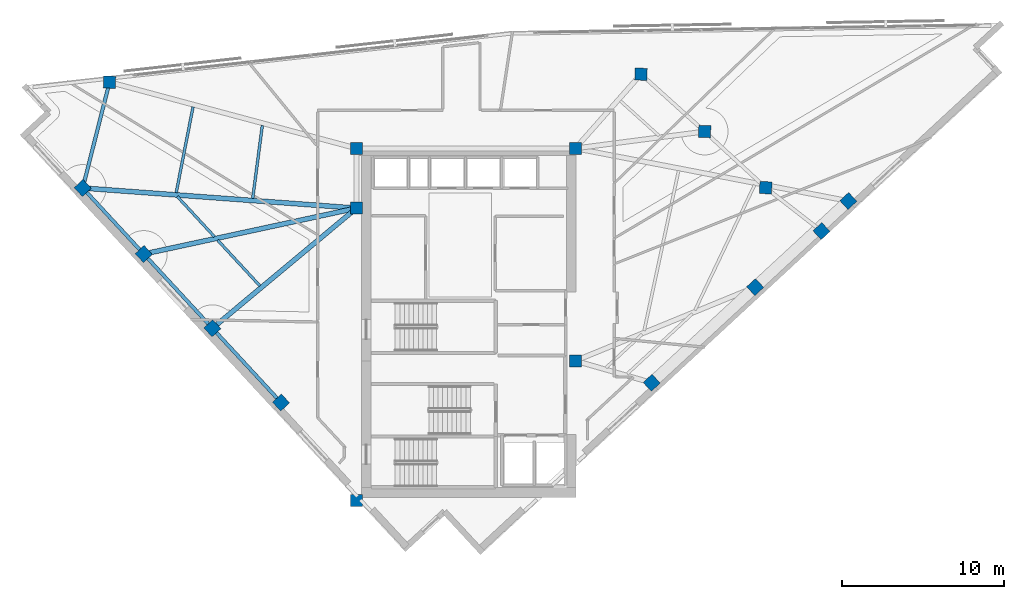
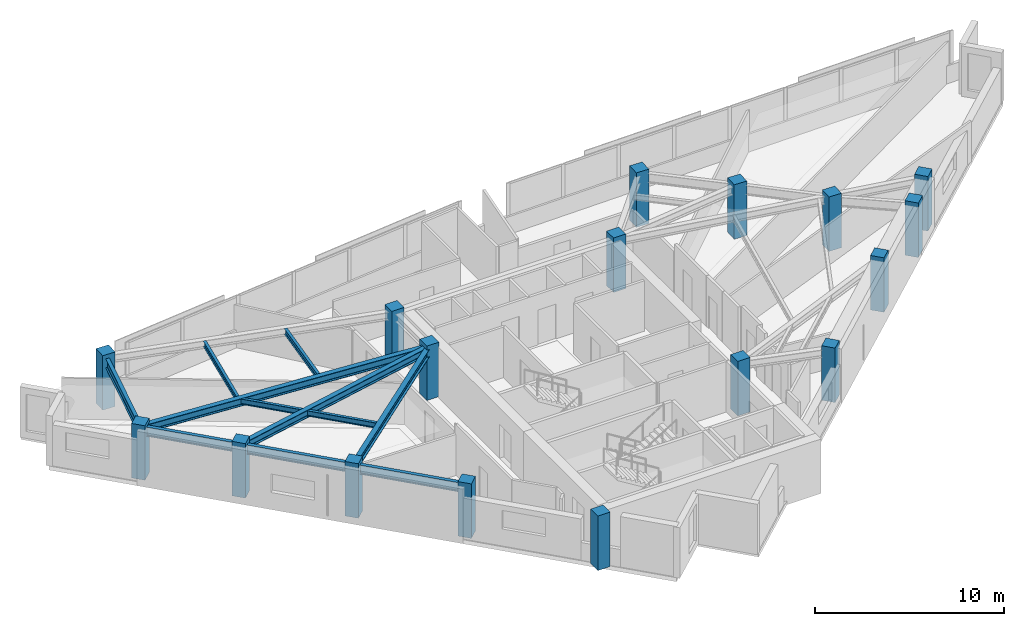
# One storey, part 1 of 13: 17 columns, 11 beams.
"""IFC4 building model written with IfcOpenShell, lengths in metres."""

from ifc_helpers import new_model, si_unit, direction, frame, origin, origin_2d, place, context, subcontext, project, spatial, rectangle, i_section, extrude, material, material_profile, profile_set, type_object, element, save


model = new_model("IFC4")

# Units and contexts
model_context = context("Model", 3, precision=1e-05, world=origin(), true_north=direction((0.0, 1.0)))
body_context = subcontext(model_context, "Body", "Model", "MODEL_VIEW")
ifc_project = project(units=[si_unit("LENGTHUNIT", "METRE"), si_unit("AREAUNIT", "SQUARE_METRE"), si_unit("VOLUMEUNIT", "CUBIC_METRE"), si_unit("PLANEANGLEUNIT", "RADIAN"), si_unit("MASSUNIT", "GRAM", prefix="KILO")], contexts=[model_context])

# Site, building, storey
site_placement = place(None, origin())
site = spatial("IfcSite", under=ifc_project, at=site_placement, CompositionType="ELEMENT")
building_placement = place(site_placement, origin())
building = spatial("IfcBuilding", under=site, at=building_placement, Name="Narakoshi Arena Tower", CompositionType="ELEMENT")
storey_placement = place(building_placement, frame((0.0, 0.0, 274.820068359375)))
storey = spatial("IfcBuildingStorey", under=building, at=storey_placement, Name="L75", CompositionType="ELEMENT", Elevation=274.820068359375)

# Columns
ifc_material_1 = material(Name="Concrete C50/60", Category="concrete")
ifc_material_profile_1 = material_profile(ifc_material_1, rectangle(XDim=0.75, YDim=0.75, at=origin_2d()), Name="RC750x750")
ifc_profile_set_1 = profile_set([ifc_material_profile_1], Name="Concrete C50/60")
column_type = type_object("IfcColumnType", Name="COL-RC750", PredefinedType="COLUMN", material=ifc_profile_set_1)
for number, where, z_axis, x_axis, name in (
    (1, (72.0, 34.699951171875, 0.0), (0.0, 0.0, 1.0), (1.0, 0.0, 0.0), "L75 Core Structural Column CC1"),
    (2, (85.550048828125, 43.35009765625, 0.0), (0.0, 0.0, 1.0), (1.0, 0.0, 0.0), "L75 Core Structural Column CC3"),
    (3, (72.0, 52.800048828125, 0.0), (0.0, 0.0, 1.0), (1.0, 0.0, 0.0), "L75 Core Structural Column CC4"),
    (4, (72.0, 56.5, 0.0), (0.0, 0.0, 1.0), (1.0, 0.0, 0.0), "L75 Core Structural Column CC5"),
    (5, (85.550048828125, 56.5, 0.0), (0.0, 0.0, 1.0), (1.0, 0.0, 0.0), "L75 Core Structural Column CC6"),
    (6, (90.2734375, 41.992919921875, 0.0), (0.0, 0.0, 1.0), (0.734322509436, 0.678800745533, 0.0), "L75 Tower Perimeter Column TC01"),
    (7, (96.6787109375, 47.913818359375, 0.0), (0.0, 0.0, 1.0), (0.734322509436, 0.678800745533, 0.0), "L75 Tower Perimeter Column TC02"),
    (8, (102.443359375, 53.242431640625, 0.0), (0.0, 0.0, 1.0), (0.734322509436, 0.678800745533, 0.0), "L75 Tower Perimeter Column TC03"),
    (9, (100.78173828125, 51.379638671875, 0.0), (0.0, 0.0, 1.0), (0.734322509436, 0.678800745533, 0.0), "L75 Tower Perimeter Column TC04"),
    (10, (97.3291015625, 54.0654296875, 0.0), (0.0, 0.0, 1.0), (0.039259815759, 0.999229036241, 0.0), "L75 Tower Perimeter Column TC05"),
    (11, (93.55029296875, 57.543701171875, 0.0), (0.0, 0.0, 1.0), (0.039259815759, 0.999229036241, 0.0), "L75 Tower Perimeter Column TC06"),
    (12, (89.611328125, 61.09033203125, 0.0), (0.0, 0.0, 1.0), (0.039259815759, 0.999229036241, 0.0), "L75 Tower Perimeter Column TC07"),
    (13, (56.717041015625, 60.59814453125, 0.0), (0.0, 0.0, 1.0), (0.039259815759, 0.999229036241, 0.0), "L75 Tower Perimeter Column TC10"),
    (14, (55.05810546875, 54.04638671875, 0.0), (0.0, 0.0, 1.0), (-0.678800745533, 0.734322509436, 0.0), "L75 Tower Perimeter Column TC13"),
    (15, (58.8349609375, 49.960693359375, 0.0), (0.0, 0.0, 1.0), (-0.678800745533, 0.734322509436, 0.0), "L75 Tower Perimeter Column TC14"),
    (16, (63.083984375, 45.3642578125, 0.0), (0.0, 0.0, 1.0), (-0.678800745533, 0.734322509436, 0.0), "L75 Tower Perimeter Column TC15"),
    (17, (67.332763671875, 40.767578125, 0.0), (0.0, 0.0, 1.0), (-0.678800745533, 0.734322509436, 0.0), "L75 Tower Perimeter Column TC16"),
):
    element("IfcColumn", number, at=place(storey_placement, frame(where, z_axis=z_axis, x_axis=x_axis)), inside=storey, type_object=column_type, Name=name, PredefinedType="COLUMN", context=body_context, shape_type="SweptSolid", body=[
        extrude(rectangle(XDim=0.75, YDim=0.75, at=origin_2d()), origin(), (0.0, 0.0, 1.0), 3.52001953125),
    ])

# Beams
ifc_material_2 = material(Name="Structural steel S355J2", Category="steel")
ifc_material_profile_2 = material_profile(ifc_material_2, i_section(OverallWidth=0.219970703125, OverallDepth=0.60009765625, WebThickness=0.011962890625, FlangeThickness=0.01904296875, FilletRadius=0.02392578125, at=origin_2d()), Name="IPE600")
ifc_profile_set_2 = profile_set([ifc_material_profile_2], Name="Structural steel S355J2")
beam_type_1 = type_object("IfcBeamType", Name="BM-EDGE-600", PredefinedType="BEAM", material=ifc_profile_set_2)
beam_1_placement = place(storey_placement, frame((56.717041015625, 60.59814453125, 2.9599609375), z_axis=(-0.245458392699, -0.969407126781, 0.0), x_axis=(0.969407126781, -0.245458392699, 0.0)))
element("IfcBeam", 18, at=beam_1_placement, inside=storey, type_object=beam_type_1, Name="L75 Perimeter Edge Girder 08", PredefinedType="BEAM", context=body_context, shape_type="SweptSolid", body=[
    extrude(i_section(OverallWidth=0.219970703125, OverallDepth=0.60009765625, WebThickness=0.011962890625, FlangeThickness=0.01904296875, FilletRadius=0.02392578125, at=origin_2d()), origin(), (0.0, 0.0, 1.0), 6.758544921875),
])
beam_2_placement = place(storey_placement, frame((55.05810546875, 54.04638671875, 2.9599609375), z_axis=(0.678808438166, -0.734315398365, 0.0), x_axis=(0.734315398365, 0.678808438166, 0.0)))
element("IfcBeam", 19, at=beam_2_placement, inside=storey, type_object=beam_type_1, Name="L75 Perimeter Edge Girder 09", PredefinedType="BEAM", context=body_context, shape_type="SweptSolid", body=[
    extrude(i_section(OverallWidth=0.219970703125, OverallDepth=0.60009765625, WebThickness=0.011962890625, FlangeThickness=0.01904296875, FilletRadius=0.02392578125, at=origin_2d()), origin(), (0.0, 0.0, 1.0), 5.56396484375),
])
for number, where, z_axis, x_axis, name in (
    (20, (58.8349609375, 49.960693359375, 2.9599609375), (0.678811265787, -0.734312784473, 0.0), (0.734312784473, 0.678811265787, 0.0), "L75 Perimeter Edge Girder 10"),
    (21, (63.083984375, 45.3642578125, 2.9599609375), (0.678770792221, -0.734350196859, 0.0), (0.734350196859, 0.678770792221, 0.0), "L75 Perimeter Edge Girder 11"),
):
    element("IfcBeam", number, at=place(storey_placement, frame(where, z_axis=z_axis, x_axis=x_axis)), inside=storey, type_object=beam_type_1, Name=name, PredefinedType="BEAM", context=body_context, shape_type="SweptSolid", body=[
        extrude(i_section(OverallWidth=0.219970703125, OverallDepth=0.60009765625, WebThickness=0.011962890625, FlangeThickness=0.01904296875, FilletRadius=0.02392578125, at=origin_2d()), origin(), (0.0, 0.0, 1.0), 6.259521484375),
    ])
ifc_material_profile_3 = material_profile(ifc_material_2, i_section(OverallWidth=0.300048828125, OverallDepth=0.5, WebThickness=0.014404296875, FlangeThickness=0.028076171875, FilletRadius=0.027099609375, at=origin_2d()), Name="HE500B")
ifc_profile_set_3 = profile_set([ifc_material_profile_3], Name="Structural steel S355J2")
beam_type_2 = type_object("IfcBeamType", Name="BM-PRI-500", PredefinedType="BEAM", material=ifc_profile_set_3)
beam_3_placement = place(storey_placement, frame((72.0, 52.800048828125, 3.010009765625), z_axis=(-0.997304997013, 0.073367178859, 0.0), x_axis=(-0.073367178859, -0.997304997013, 0.0)))
element("IfcBeam", 22, at=beam_3_placement, inside=storey, type_object=beam_type_2, Name="L75 Radial Primary Floor Girder 09", PredefinedType="BEAM", context=body_context, shape_type="SweptSolid", body=[
    extrude(i_section(OverallWidth=0.300048828125, OverallDepth=0.5, WebThickness=0.014404296875, FlangeThickness=0.028076171875, FilletRadius=0.027099609375, at=origin_2d()), origin(), (0.0, 0.0, 1.0), 16.98779296875),
])
beam_4_placement = place(storey_placement, frame((72.0, 52.800048828125, 3.010009765625), z_axis=(-0.977523534755, -0.210826324256, 0.0), x_axis=(0.210826324256, -0.977523534755, 0.0)))
element("IfcBeam", 23, at=beam_4_placement, inside=storey, type_object=beam_type_2, Name="L75 Radial Primary Floor Girder 10", PredefinedType="BEAM", context=body_context, shape_type="SweptSolid", body=[
    extrude(i_section(OverallWidth=0.300048828125, OverallDepth=0.5, WebThickness=0.014404296875, FlangeThickness=0.028076171875, FilletRadius=0.027099609375, at=origin_2d()), origin(), (0.0, 0.0, 1.0), 13.4677734375),
])
beam_5_placement = place(storey_placement, frame((72.0, 52.800048828125, 3.010009765625), z_axis=(-0.767976460513, -0.640478068397, 0.0), x_axis=(0.640478068397, -0.767976460513, 0.0)))
element("IfcBeam", 24, at=beam_5_placement, inside=storey, type_object=beam_type_2, Name="L75 Radial Primary Floor Girder 11", PredefinedType="BEAM", context=body_context, shape_type="SweptSolid", body=[
    extrude(i_section(OverallWidth=0.300048828125, OverallDepth=0.5, WebThickness=0.014404296875, FlangeThickness=0.028076171875, FilletRadius=0.027099609375, at=origin_2d()), origin(), (0.0, 0.0, 1.0), 11.60986328125),
])
ifc_material_profile_4 = material_profile(ifc_material_2, i_section(OverallWidth=0.169921875, OverallDepth=0.360107421875, WebThickness=0.008056640625, FlangeThickness=0.0126953125, FilletRadius=0.01806640625, at=origin_2d()), Name="IPE360")
ifc_profile_set_4 = profile_set([ifc_material_profile_4], Name="Structural steel S355J2")
beam_type_3 = type_object("IfcBeamType", Name="BM-SEC-360", PredefinedType="JOIST", material=ifc_profile_set_4)
beam_6_placement = place(storey_placement, frame((66.1748046875, 57.92333984375, 3.079833984375), z_axis=(-0.130622278615, -0.991432206623, 0.0), x_axis=(0.991432206623, -0.130622278615, 0.0)))
element("IfcBeam", 25, at=beam_6_placement, inside=storey, type_object=beam_type_3, Name="L75 Composite Secondary Floor Joist 06", PredefinedType="JOIST", context=body_context, shape_type="SweptSolid", body=[
    extrude(i_section(OverallWidth=0.169921875, OverallDepth=0.360107421875, WebThickness=0.008056640625, FlangeThickness=0.0126953125, FilletRadius=0.01806640625, at=origin_2d()), origin(), (0.0, 0.0, 1.0), 4.554931640625),
])
beam_7_placement = place(storey_placement, frame((61.88720703125, 59.072265625, 3.079833984375), z_axis=(-0.192432326114, -0.98131024649, 0.0), x_axis=(0.98131024649, -0.192432326114, 0.0)))
element("IfcBeam", 26, at=beam_7_placement, inside=storey, type_object=beam_type_3, Name="L75 Composite Secondary Floor Joist 07", PredefinedType="JOIST", context=body_context, shape_type="SweptSolid", body=[
    extrude(i_section(OverallWidth=0.169921875, OverallDepth=0.360107421875, WebThickness=0.008056640625, FlangeThickness=0.0126953125, FilletRadius=0.01806640625, at=origin_2d()), origin(), (0.0, 0.0, 1.0), 5.418701171875),
])
beam_8_placement = place(storey_placement, frame((60.91015625, 53.5234375, 3.079833984375), z_axis=(0.678789604895, -0.734332807579, 0.0), x_axis=(0.734332807579, 0.678789604895, 0.0)))
element("IfcBeam", 27, at=beam_8_placement, inside=storey, type_object=beam_type_3, Name="L75 Composite Secondary Floor Joist 08", PredefinedType="JOIST", context=body_context, shape_type="SweptSolid", body=[
    extrude(i_section(OverallWidth=0.169921875, OverallDepth=0.360107421875, WebThickness=0.008056640625, FlangeThickness=0.0126953125, FilletRadius=0.01806640625, at=origin_2d()), origin(), (0.0, 0.0, 1.0), 3.402099609375),
])
beam_9_placement = place(storey_placement, frame((63.402587890625, 50.826904296875, 3.079833984375), z_axis=(0.67880513783, -0.734318449214, 0.0), x_axis=(0.734318449214, 0.67880513783, 0.0)))
element("IfcBeam", 28, at=beam_9_placement, inside=storey, type_object=beam_type_3, Name="L75 Composite Secondary Floor Joist 09", PredefinedType="JOIST", context=body_context, shape_type="SweptSolid", body=[
    extrude(i_section(OverallWidth=0.169921875, OverallDepth=0.360107421875, WebThickness=0.008056640625, FlangeThickness=0.0126953125, FilletRadius=0.01806640625, at=origin_2d()), origin(), (0.0, 0.0, 1.0), 3.861328125),
])

save(model, "model.ifc")
